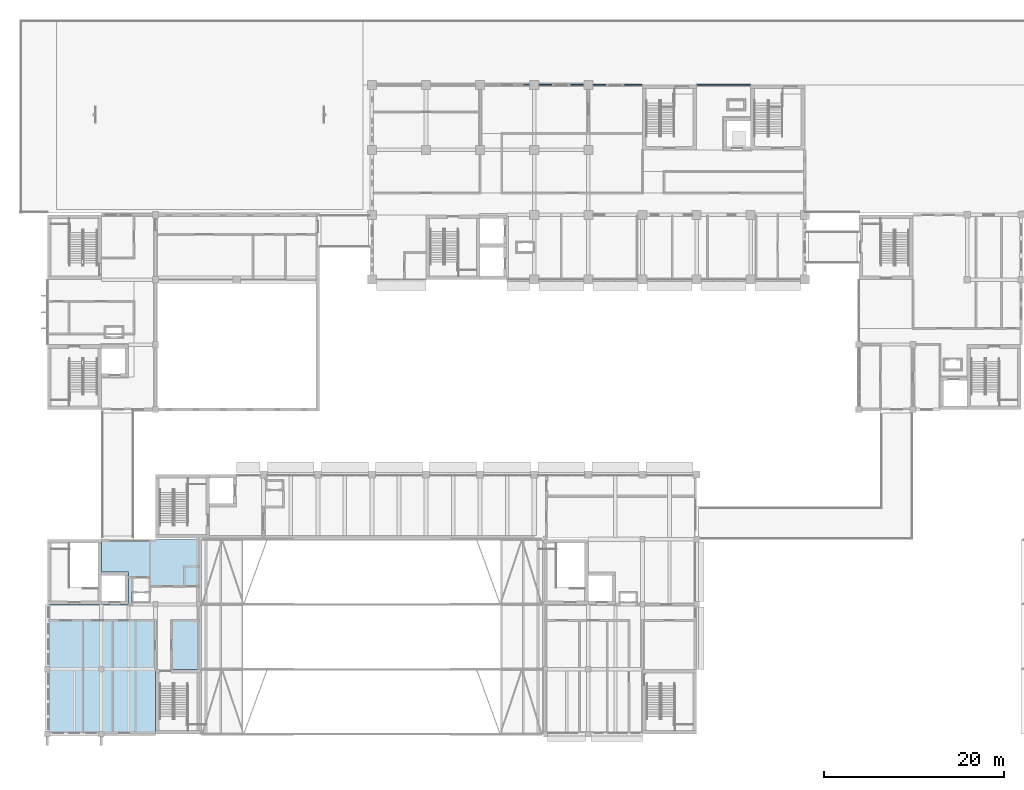
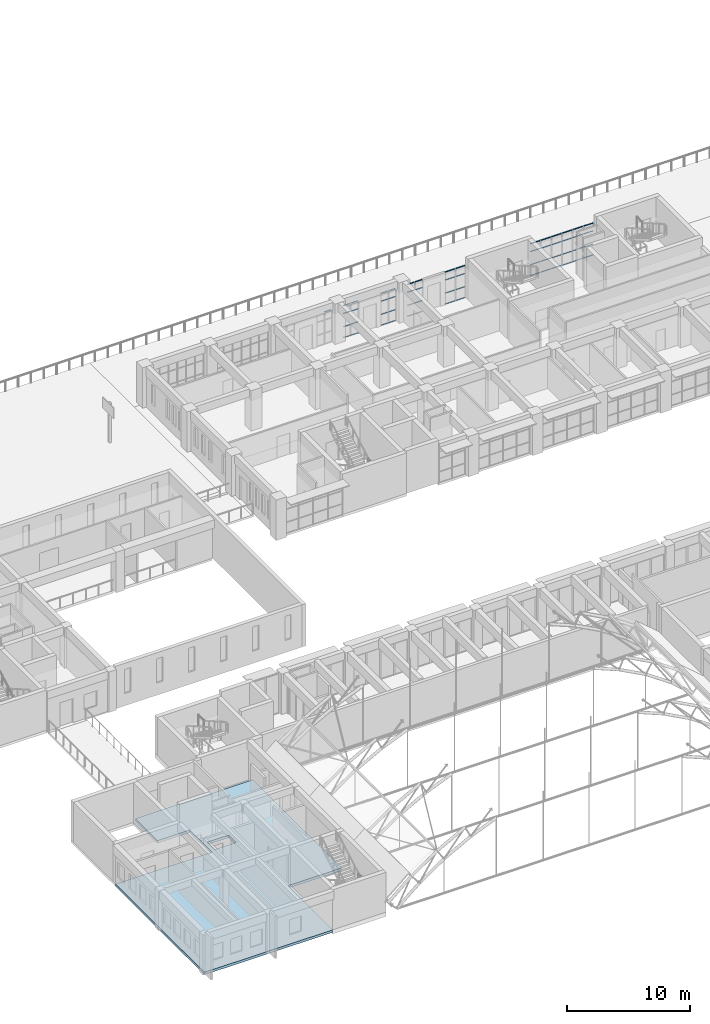
# One storey, part 59 of 101: 57 members, 1 slab, 6 elements without a shape of their own.
"""IFC4 building model written with IfcOpenShell, lengths in metres."""

from ifc_helpers import new_model, si_unit, direction, frame, origin, origin_2d, place, context, subcontext, project, spatial, polyline, hollow_rectangle, outline, extrude, material, layer, layer_set, material_profile, profile_set, type_object, element, aggregate, save


model = new_model("IFC4")

# Units and contexts
model_context = context("Model", 3, precision=1e-05, world=origin(), true_north=direction((0.0, 1.0)))
body_context = subcontext(model_context, "Body", "Model", "MODEL_VIEW")
ifc_project = project(units=[si_unit("LENGTHUNIT", "METRE"), si_unit("AREAUNIT", "SQUARE_METRE"), si_unit("VOLUMEUNIT", "CUBIC_METRE"), si_unit("PLANEANGLEUNIT", "RADIAN"), si_unit("MASSUNIT", "GRAM", prefix="KILO")], contexts=[model_context])

# Site, building, storey
site_placement = place(None, origin())
site = spatial("IfcSite", under=ifc_project, at=site_placement, CompositionType="ELEMENT")
building_placement = place(site_placement, origin())
building = spatial("IfcBuilding", under=site, at=building_placement, Name="Laocheng Heights Fire and Rescue Headquarters", CompositionType="ELEMENT")
storey_placement = place(building_placement, frame((0.0, 0.0, 8.39990234375)))
storey = spatial("IfcBuildingStorey", under=building, at=storey_placement, Name="L02", CompositionType="ELEMENT", Elevation=8.39990234375)

# Curtain wall, member
ifc_material_1 = material(Name="Dark anodised aluminium unitised curtain wall, low-e double glazing", Category="aluminium")
curtain_wall_type_1 = type_object("IfcCurtainWallType", Name="CW 1450 x 3200 HQ NORTH GLAZING", PredefinedType="NOTDEFINED", material=ifc_material_1)
curtain_wall_1_placement = place(storey_placement, origin())
curtain_wall_1 = element("IfcCurtainWall", 1, at=curtain_wall_1_placement, inside=storey, type_object=curtain_wall_type_1, Name="X18-X HQ NORTH L02", PredefinedType="NOTDEFINED")
ifc_material_2 = material(Name="Dark anodised aluminium 6063-T5 extrusion", Category="aluminium")
ifc_material_profile = material_profile(ifc_material_2, hollow_rectangle(XDim=0.10009765625, YDim=0.050048828125, WallThickness=0.0029296875, at=origin_2d()), Name="AL TRANSOM 100x50x3 HQ NORTH GLAZING")
ifc_profile_set = profile_set([ifc_material_profile], Name="Dark anodised aluminium 6063-T5 extrusion")
member_type = type_object("IfcMemberType", Name="AL TRANSOM 100x50x3 HQ NORTH GLAZING", PredefinedType="USERDEFINED", material=ifc_profile_set)
member_1_placement = place(storey_placement, frame((52.804931640625, 72.0, 3.175048828125), z_axis=(1.0, 0.0, 0.0), x_axis=(0.0, 1.0, 0.0)))
member_1 = element("IfcMember", 2, at=member_1_placement, type_object=member_type, Name="X18-X transom 2.4", ObjectType="TRANSOM", PredefinedType="USERDEFINED", context=body_context, shape_type="SweptSolid", body=[
    extrude(hollow_rectangle(XDim=0.10009765625, YDim=0.050048828125, WallThickness=0.0029296875, at=origin_2d()), origin(), (0.0, 0.0, 1.0), 0.635009765625),
])
aggregate(curtain_wall_1, [member_1])

# Curtain wall, members
curtain_wall_2_placement = place(storey_placement, origin())
curtain_wall_2 = element("IfcCurtainWall", 3, at=curtain_wall_2_placement, inside=storey, type_object=curtain_wall_type_1, Name="X18-X HQ NORTH L02", PredefinedType="NOTDEFINED")
member_2_placement = place(storey_placement, frame((54.56005859375, 72.0, 0.025146484375), z_axis=(1.0, 0.0, 0.0), x_axis=(0.0, 1.0, 0.0)))
member_2 = element("IfcMember", 4, at=member_2_placement, type_object=member_type, Name="X18-X transom 1.1", ObjectType="TRANSOM", PredefinedType="USERDEFINED", context=body_context, shape_type="SweptSolid", body=[
    extrude(hollow_rectangle(XDim=0.10009765625, YDim=0.050048828125, WallThickness=0.0029296875, at=origin_2d()), origin(), (0.0, 0.0, 1.0), 0.635009765625),
])
member_3_placement = place(storey_placement, frame((54.56005859375, 72.0, 1.10009765625), z_axis=(1.0, 0.0, 0.0), x_axis=(0.0, 1.0, 0.0)))
member_3 = element("IfcMember", 5, at=member_3_placement, type_object=member_type, Name="X18-X transom 1.2", ObjectType="TRANSOM", PredefinedType="USERDEFINED", context=body_context, shape_type="SweptSolid", body=[
    extrude(hollow_rectangle(XDim=0.10009765625, YDim=0.050048828125, WallThickness=0.0029296875, at=origin_2d()), origin(), (0.0, 0.0, 1.0), 0.635009765625),
])
member_4_placement = place(storey_placement, frame((54.56005859375, 72.0, 2.400146484375), z_axis=(1.0, 0.0, 0.0), x_axis=(0.0, 1.0, 0.0)))
member_4 = element("IfcMember", 6, at=member_4_placement, type_object=member_type, Name="X18-X transom 1.3", ObjectType="TRANSOM", PredefinedType="USERDEFINED", context=body_context, shape_type="SweptSolid", body=[
    extrude(hollow_rectangle(XDim=0.10009765625, YDim=0.050048828125, WallThickness=0.0029296875, at=origin_2d()), origin(), (0.0, 0.0, 1.0), 0.635009765625),
])
member_5_placement = place(storey_placement, frame((54.56005859375, 72.0, 3.175048828125), z_axis=(1.0, 0.0, 0.0), x_axis=(0.0, 1.0, 0.0)))
member_5 = element("IfcMember", 7, at=member_5_placement, type_object=member_type, Name="X18-X transom 1.4", ObjectType="TRANSOM", PredefinedType="USERDEFINED", context=body_context, shape_type="SweptSolid", body=[
    extrude(hollow_rectangle(XDim=0.10009765625, YDim=0.050048828125, WallThickness=0.0029296875, at=origin_2d()), origin(), (0.0, 0.0, 1.0), 0.635009765625),
])
member_6_placement = place(storey_placement, frame((55.2548828125, 72.0, 0.025146484375), z_axis=(1.0, 0.0, 0.0), x_axis=(0.0, 1.0, 0.0)))
member_6 = element("IfcMember", 8, at=member_6_placement, type_object=member_type, Name="X18-X transom 2.1", ObjectType="TRANSOM", PredefinedType="USERDEFINED", context=body_context, shape_type="SweptSolid", body=[
    extrude(hollow_rectangle(XDim=0.10009765625, YDim=0.050048828125, WallThickness=0.0029296875, at=origin_2d()), origin(), (0.0, 0.0, 1.0), 0.695068359375),
])
member_7_placement = place(storey_placement, frame((55.2548828125, 72.0, 1.10009765625), z_axis=(1.0, 0.0, 0.0), x_axis=(0.0, 1.0, 0.0)))
member_7 = element("IfcMember", 9, at=member_7_placement, type_object=member_type, Name="X18-X transom 2.2", ObjectType="TRANSOM", PredefinedType="USERDEFINED", context=body_context, shape_type="SweptSolid", body=[
    extrude(hollow_rectangle(XDim=0.10009765625, YDim=0.050048828125, WallThickness=0.0029296875, at=origin_2d()), origin(), (0.0, 0.0, 1.0), 0.695068359375),
])
member_8_placement = place(storey_placement, frame((55.2548828125, 72.0, 2.400146484375), z_axis=(1.0, 0.0, 0.0), x_axis=(0.0, 1.0, 0.0)))
member_8 = element("IfcMember", 10, at=member_8_placement, type_object=member_type, Name="X18-X transom 2.3", ObjectType="TRANSOM", PredefinedType="USERDEFINED", context=body_context, shape_type="SweptSolid", body=[
    extrude(hollow_rectangle(XDim=0.10009765625, YDim=0.050048828125, WallThickness=0.0029296875, at=origin_2d()), origin(), (0.0, 0.0, 1.0), 0.695068359375),
])
member_9_placement = place(storey_placement, frame((55.2548828125, 72.0, 3.175048828125), z_axis=(1.0, 0.0, 0.0), x_axis=(0.0, 1.0, 0.0)))
member_9 = element("IfcMember", 11, at=member_9_placement, type_object=member_type, Name="X18-X transom 2.4", ObjectType="TRANSOM", PredefinedType="USERDEFINED", context=body_context, shape_type="SweptSolid", body=[
    extrude(hollow_rectangle(XDim=0.10009765625, YDim=0.050048828125, WallThickness=0.0029296875, at=origin_2d()), origin(), (0.0, 0.0, 1.0), 0.695068359375),
])
aggregate(curtain_wall_2, [member_2, member_3, member_4, member_5, member_6, member_7, member_8, member_9])

curtain_wall_3_placement = place(storey_placement, origin())
curtain_wall_3 = element("IfcCurtainWall", 12, at=curtain_wall_3_placement, inside=storey, type_object=curtain_wall_type_1, Name="X18-X HQ NORTH L02", PredefinedType="NOTDEFINED")
member_10_placement = place(storey_placement, frame((58.050048828125, 72.0, 0.025146484375), z_axis=(1.0, 0.0, 0.0), x_axis=(0.0, 1.0, 0.0)))
member_10 = element("IfcMember", 13, at=member_10_placement, type_object=member_type, Name="X18-X transom 1.1", ObjectType="TRANSOM", PredefinedType="USERDEFINED", context=body_context, shape_type="SweptSolid", body=[
    extrude(hollow_rectangle(XDim=0.10009765625, YDim=0.050048828125, WallThickness=0.0029296875, at=origin_2d()), origin(), (0.0, 0.0, 1.0), 0.695068359375),
])
member_11_placement = place(storey_placement, frame((58.050048828125, 72.0, 1.10009765625), z_axis=(1.0, 0.0, 0.0), x_axis=(0.0, 1.0, 0.0)))
member_11 = element("IfcMember", 14, at=member_11_placement, type_object=member_type, Name="X18-X transom 1.2", ObjectType="TRANSOM", PredefinedType="USERDEFINED", context=body_context, shape_type="SweptSolid", body=[
    extrude(hollow_rectangle(XDim=0.10009765625, YDim=0.050048828125, WallThickness=0.0029296875, at=origin_2d()), origin(), (0.0, 0.0, 1.0), 0.695068359375),
])
member_12_placement = place(storey_placement, frame((58.050048828125, 72.0, 2.400146484375), z_axis=(1.0, 0.0, 0.0), x_axis=(0.0, 1.0, 0.0)))
member_12 = element("IfcMember", 15, at=member_12_placement, type_object=member_type, Name="X18-X transom 1.3", ObjectType="TRANSOM", PredefinedType="USERDEFINED", context=body_context, shape_type="SweptSolid", body=[
    extrude(hollow_rectangle(XDim=0.10009765625, YDim=0.050048828125, WallThickness=0.0029296875, at=origin_2d()), origin(), (0.0, 0.0, 1.0), 0.695068359375),
])
member_13_placement = place(storey_placement, frame((58.050048828125, 72.0, 3.175048828125), z_axis=(1.0, 0.0, 0.0), x_axis=(0.0, 1.0, 0.0)))
member_13 = element("IfcMember", 16, at=member_13_placement, type_object=member_type, Name="X18-X transom 1.4", ObjectType="TRANSOM", PredefinedType="USERDEFINED", context=body_context, shape_type="SweptSolid", body=[
    extrude(hollow_rectangle(XDim=0.10009765625, YDim=0.050048828125, WallThickness=0.0029296875, at=origin_2d()), origin(), (0.0, 0.0, 1.0), 0.695068359375),
])
member_14_placement = place(storey_placement, frame((58.804931640625, 72.0, 0.025146484375), z_axis=(1.0, 0.0, 0.0), x_axis=(0.0, 1.0, 0.0)))
member_14 = element("IfcMember", 17, at=member_14_placement, type_object=member_type, Name="X18-X transom 2.1", ObjectType="TRANSOM", PredefinedType="USERDEFINED", context=body_context, shape_type="SweptSolid", body=[
    extrude(hollow_rectangle(XDim=0.10009765625, YDim=0.050048828125, WallThickness=0.0029296875, at=origin_2d()), origin(), (0.0, 0.0, 1.0), 0.635009765625),
])
member_15_placement = place(storey_placement, frame((58.804931640625, 72.0, 1.10009765625), z_axis=(1.0, 0.0, 0.0), x_axis=(0.0, 1.0, 0.0)))
member_15 = element("IfcMember", 18, at=member_15_placement, type_object=member_type, Name="X18-X transom 2.2", ObjectType="TRANSOM", PredefinedType="USERDEFINED", context=body_context, shape_type="SweptSolid", body=[
    extrude(hollow_rectangle(XDim=0.10009765625, YDim=0.050048828125, WallThickness=0.0029296875, at=origin_2d()), origin(), (0.0, 0.0, 1.0), 0.635009765625),
])
member_16_placement = place(storey_placement, frame((58.804931640625, 72.0, 2.400146484375), z_axis=(1.0, 0.0, 0.0), x_axis=(0.0, 1.0, 0.0)))
member_16 = element("IfcMember", 19, at=member_16_placement, type_object=member_type, Name="X18-X transom 2.3", ObjectType="TRANSOM", PredefinedType="USERDEFINED", context=body_context, shape_type="SweptSolid", body=[
    extrude(hollow_rectangle(XDim=0.10009765625, YDim=0.050048828125, WallThickness=0.0029296875, at=origin_2d()), origin(), (0.0, 0.0, 1.0), 0.635009765625),
])
member_17_placement = place(storey_placement, frame((58.804931640625, 72.0, 3.175048828125), z_axis=(1.0, 0.0, 0.0), x_axis=(0.0, 1.0, 0.0)))
member_17 = element("IfcMember", 20, at=member_17_placement, type_object=member_type, Name="X18-X transom 2.4", ObjectType="TRANSOM", PredefinedType="USERDEFINED", context=body_context, shape_type="SweptSolid", body=[
    extrude(hollow_rectangle(XDim=0.10009765625, YDim=0.050048828125, WallThickness=0.0029296875, at=origin_2d()), origin(), (0.0, 0.0, 1.0), 0.635009765625),
])
aggregate(curtain_wall_3, [member_10, member_11, member_12, member_13, member_14, member_15, member_16, member_17])

curtain_wall_4_placement = place(storey_placement, origin())
curtain_wall_4 = element("IfcCurtainWall", 21, at=curtain_wall_4_placement, inside=storey, type_object=curtain_wall_type_1, Name="X18-X HQ NORTH L02", PredefinedType="NOTDEFINED")
member_18_placement = place(storey_placement, frame((60.56005859375, 72.0, 0.025146484375), z_axis=(1.0, 0.0, 0.0), x_axis=(0.0, 1.0, 0.0)))
member_18 = element("IfcMember", 22, at=member_18_placement, type_object=member_type, Name="X18-X transom 1.1", ObjectType="TRANSOM", PredefinedType="USERDEFINED", context=body_context, shape_type="SweptSolid", body=[
    extrude(hollow_rectangle(XDim=0.10009765625, YDim=0.050048828125, WallThickness=0.0029296875, at=origin_2d()), origin(), (0.0, 0.0, 1.0), 0.635009765625),
])
member_19_placement = place(storey_placement, frame((60.56005859375, 72.0, 1.10009765625), z_axis=(1.0, 0.0, 0.0), x_axis=(0.0, 1.0, 0.0)))
member_19 = element("IfcMember", 23, at=member_19_placement, type_object=member_type, Name="X18-X transom 1.2", ObjectType="TRANSOM", PredefinedType="USERDEFINED", context=body_context, shape_type="SweptSolid", body=[
    extrude(hollow_rectangle(XDim=0.10009765625, YDim=0.050048828125, WallThickness=0.0029296875, at=origin_2d()), origin(), (0.0, 0.0, 1.0), 0.635009765625),
])
member_20_placement = place(storey_placement, frame((60.56005859375, 72.0, 2.400146484375), z_axis=(1.0, 0.0, 0.0), x_axis=(0.0, 1.0, 0.0)))
member_20 = element("IfcMember", 24, at=member_20_placement, type_object=member_type, Name="X18-X transom 1.3", ObjectType="TRANSOM", PredefinedType="USERDEFINED", context=body_context, shape_type="SweptSolid", body=[
    extrude(hollow_rectangle(XDim=0.10009765625, YDim=0.050048828125, WallThickness=0.0029296875, at=origin_2d()), origin(), (0.0, 0.0, 1.0), 0.635009765625),
])
member_21_placement = place(storey_placement, frame((60.56005859375, 72.0, 3.175048828125), z_axis=(1.0, 0.0, 0.0), x_axis=(0.0, 1.0, 0.0)))
member_21 = element("IfcMember", 25, at=member_21_placement, type_object=member_type, Name="X18-X transom 1.4", ObjectType="TRANSOM", PredefinedType="USERDEFINED", context=body_context, shape_type="SweptSolid", body=[
    extrude(hollow_rectangle(XDim=0.10009765625, YDim=0.050048828125, WallThickness=0.0029296875, at=origin_2d()), origin(), (0.0, 0.0, 1.0), 0.635009765625),
])
member_22_placement = place(storey_placement, frame((61.2548828125, 72.0, 0.025146484375), z_axis=(1.0, 0.0, 0.0), x_axis=(0.0, 1.0, 0.0)))
member_22 = element("IfcMember", 26, at=member_22_placement, type_object=member_type, Name="X18-X transom 2.1", ObjectType="TRANSOM", PredefinedType="USERDEFINED", context=body_context, shape_type="SweptSolid", body=[
    extrude(hollow_rectangle(XDim=0.10009765625, YDim=0.050048828125, WallThickness=0.0029296875, at=origin_2d()), origin(), (0.0, 0.0, 1.0), 0.695068359375),
])
member_23_placement = place(storey_placement, frame((61.2548828125, 72.0, 1.10009765625), z_axis=(1.0, 0.0, 0.0), x_axis=(0.0, 1.0, 0.0)))
member_23 = element("IfcMember", 27, at=member_23_placement, type_object=member_type, Name="X18-X transom 2.2", ObjectType="TRANSOM", PredefinedType="USERDEFINED", context=body_context, shape_type="SweptSolid", body=[
    extrude(hollow_rectangle(XDim=0.10009765625, YDim=0.050048828125, WallThickness=0.0029296875, at=origin_2d()), origin(), (0.0, 0.0, 1.0), 0.695068359375),
])
member_24_placement = place(storey_placement, frame((61.2548828125, 72.0, 2.400146484375), z_axis=(1.0, 0.0, 0.0), x_axis=(0.0, 1.0, 0.0)))
member_24 = element("IfcMember", 28, at=member_24_placement, type_object=member_type, Name="X18-X transom 2.3", ObjectType="TRANSOM", PredefinedType="USERDEFINED", context=body_context, shape_type="SweptSolid", body=[
    extrude(hollow_rectangle(XDim=0.10009765625, YDim=0.050048828125, WallThickness=0.0029296875, at=origin_2d()), origin(), (0.0, 0.0, 1.0), 0.695068359375),
])
member_25_placement = place(storey_placement, frame((61.2548828125, 72.0, 3.175048828125), z_axis=(1.0, 0.0, 0.0), x_axis=(0.0, 1.0, 0.0)))
member_25 = element("IfcMember", 29, at=member_25_placement, type_object=member_type, Name="X18-X transom 2.4", ObjectType="TRANSOM", PredefinedType="USERDEFINED", context=body_context, shape_type="SweptSolid", body=[
    extrude(hollow_rectangle(XDim=0.10009765625, YDim=0.050048828125, WallThickness=0.0029296875, at=origin_2d()), origin(), (0.0, 0.0, 1.0), 0.695068359375),
])
aggregate(curtain_wall_4, [member_18, member_19, member_20, member_21, member_22, member_23, member_24, member_25])

ifc_material_3 = material(Name="Dark anodised aluminium unitised curtain wall, low-e double glazing", Category="aluminium")
curtain_wall_type_2 = type_object("IfcCurtainWallType", Name="CW 1950 x 3200 HQ NORTH GLAZING", PredefinedType="NOTDEFINED", material=ifc_material_3)
curtain_wall_5_placement = place(storey_placement, origin())
curtain_wall_5 = element("IfcCurtainWall", 30, at=curtain_wall_5_placement, inside=storey, type_object=curtain_wall_type_2, Name="X19-X HQ NORTH L02", PredefinedType="NOTDEFINED")
member_26_placement = place(storey_placement, frame((64.050048828125, 72.0, 0.025146484375), z_axis=(1.0, 0.0, 0.0), x_axis=(0.0, 1.0, 0.0)))
member_26 = element("IfcMember", 31, at=member_26_placement, type_object=member_type, Name="X19-X transom 1.1", ObjectType="TRANSOM", PredefinedType="USERDEFINED", context=body_context, shape_type="SweptSolid", body=[
    extrude(hollow_rectangle(XDim=0.10009765625, YDim=0.050048828125, WallThickness=0.0029296875, at=origin_2d()), origin(), (0.0, 0.0, 1.0), 0.945068359375),
])
member_27_placement = place(storey_placement, frame((64.050048828125, 72.0, 1.10009765625), z_axis=(1.0, 0.0, 0.0), x_axis=(0.0, 1.0, 0.0)))
member_27 = element("IfcMember", 32, at=member_27_placement, type_object=member_type, Name="X19-X transom 1.2", ObjectType="TRANSOM", PredefinedType="USERDEFINED", context=body_context, shape_type="SweptSolid", body=[
    extrude(hollow_rectangle(XDim=0.10009765625, YDim=0.050048828125, WallThickness=0.0029296875, at=origin_2d()), origin(), (0.0, 0.0, 1.0), 0.945068359375),
])
member_28_placement = place(storey_placement, frame((64.050048828125, 72.0, 2.400146484375), z_axis=(1.0, 0.0, 0.0), x_axis=(0.0, 1.0, 0.0)))
member_28 = element("IfcMember", 33, at=member_28_placement, type_object=member_type, Name="X19-X transom 1.3", ObjectType="TRANSOM", PredefinedType="USERDEFINED", context=body_context, shape_type="SweptSolid", body=[
    extrude(hollow_rectangle(XDim=0.10009765625, YDim=0.050048828125, WallThickness=0.0029296875, at=origin_2d()), origin(), (0.0, 0.0, 1.0), 0.945068359375),
])
member_29_placement = place(storey_placement, frame((64.050048828125, 72.0, 3.175048828125), z_axis=(1.0, 0.0, 0.0), x_axis=(0.0, 1.0, 0.0)))
member_29 = element("IfcMember", 34, at=member_29_placement, type_object=member_type, Name="X19-X transom 1.4", ObjectType="TRANSOM", PredefinedType="USERDEFINED", context=body_context, shape_type="SweptSolid", body=[
    extrude(hollow_rectangle(XDim=0.10009765625, YDim=0.050048828125, WallThickness=0.0029296875, at=origin_2d()), origin(), (0.0, 0.0, 1.0), 0.945068359375),
])
member_30_placement = place(storey_placement, frame((65.054931640625, 72.0, 0.025146484375), z_axis=(1.0, 0.0, 0.0), x_axis=(0.0, 1.0, 0.0)))
member_30 = element("IfcMember", 35, at=member_30_placement, type_object=member_type, Name="X19-X transom 2.1", ObjectType="TRANSOM", PredefinedType="USERDEFINED", context=body_context, shape_type="SweptSolid", body=[
    extrude(hollow_rectangle(XDim=0.10009765625, YDim=0.050048828125, WallThickness=0.0029296875, at=origin_2d()), origin(), (0.0, 0.0, 1.0), 0.885009765625),
])
member_31_placement = place(storey_placement, frame((65.054931640625, 72.0, 1.10009765625), z_axis=(1.0, 0.0, 0.0), x_axis=(0.0, 1.0, 0.0)))
member_31 = element("IfcMember", 36, at=member_31_placement, type_object=member_type, Name="X19-X transom 2.2", ObjectType="TRANSOM", PredefinedType="USERDEFINED", context=body_context, shape_type="SweptSolid", body=[
    extrude(hollow_rectangle(XDim=0.10009765625, YDim=0.050048828125, WallThickness=0.0029296875, at=origin_2d()), origin(), (0.0, 0.0, 1.0), 0.885009765625),
])
member_32_placement = place(storey_placement, frame((65.054931640625, 72.0, 2.400146484375), z_axis=(1.0, 0.0, 0.0), x_axis=(0.0, 1.0, 0.0)))
member_32 = element("IfcMember", 37, at=member_32_placement, type_object=member_type, Name="X19-X transom 2.3", ObjectType="TRANSOM", PredefinedType="USERDEFINED", context=body_context, shape_type="SweptSolid", body=[
    extrude(hollow_rectangle(XDim=0.10009765625, YDim=0.050048828125, WallThickness=0.0029296875, at=origin_2d()), origin(), (0.0, 0.0, 1.0), 0.885009765625),
])
member_33_placement = place(storey_placement, frame((65.054931640625, 72.0, 3.175048828125), z_axis=(1.0, 0.0, 0.0), x_axis=(0.0, 1.0, 0.0)))
member_33 = element("IfcMember", 38, at=member_33_placement, type_object=member_type, Name="X19-X transom 2.4", ObjectType="TRANSOM", PredefinedType="USERDEFINED", context=body_context, shape_type="SweptSolid", body=[
    extrude(hollow_rectangle(XDim=0.10009765625, YDim=0.050048828125, WallThickness=0.0029296875, at=origin_2d()), origin(), (0.0, 0.0, 1.0), 0.885009765625),
])
aggregate(curtain_wall_5, [member_26, member_27, member_28, member_29, member_30, member_31, member_32, member_33])

ifc_material_4 = material(Name="Dark anodised aluminium unitised curtain wall, low-e double glazing", Category="aluminium")
curtain_wall_type_3 = type_object("IfcCurtainWallType", Name="CW 6000 x 3200 HQ NORTH GLAZING", PredefinedType="NOTDEFINED", material=ifc_material_4)
curtain_wall_6_placement = place(storey_placement, origin())
curtain_wall_6 = element("IfcCurtainWall", 39, at=curtain_wall_6_placement, inside=storey, type_object=curtain_wall_type_3, Name="X20-X HQ NORTH L02", PredefinedType="NOTDEFINED")
member_34_placement = place(storey_placement, frame((72.06005859375, 72.0, 0.025146484375), z_axis=(1.0, 0.0, 0.0), x_axis=(0.0, 1.0, 0.0)))
member_34 = element("IfcMember", 40, at=member_34_placement, type_object=member_type, Name="X20-X transom 1.1", ObjectType="TRANSOM", PredefinedType="USERDEFINED", context=body_context, shape_type="SweptSolid", body=[
    extrude(hollow_rectangle(XDim=0.10009765625, YDim=0.050048828125, WallThickness=0.0029296875, at=origin_2d()), origin(), (0.0, 0.0, 1.0), 0.909912109375),
])
member_35_placement = place(storey_placement, frame((72.06005859375, 72.0, 1.10009765625), z_axis=(1.0, 0.0, 0.0), x_axis=(0.0, 1.0, 0.0)))
member_35 = element("IfcMember", 41, at=member_35_placement, type_object=member_type, Name="X20-X transom 1.2", ObjectType="TRANSOM", PredefinedType="USERDEFINED", context=body_context, shape_type="SweptSolid", body=[
    extrude(hollow_rectangle(XDim=0.10009765625, YDim=0.050048828125, WallThickness=0.0029296875, at=origin_2d()), origin(), (0.0, 0.0, 1.0), 0.909912109375),
])
member_36_placement = place(storey_placement, frame((72.06005859375, 72.0, 2.400146484375), z_axis=(1.0, 0.0, 0.0), x_axis=(0.0, 1.0, 0.0)))
member_36 = element("IfcMember", 42, at=member_36_placement, type_object=member_type, Name="X20-X transom 1.3", ObjectType="TRANSOM", PredefinedType="USERDEFINED", context=body_context, shape_type="SweptSolid", body=[
    extrude(hollow_rectangle(XDim=0.10009765625, YDim=0.050048828125, WallThickness=0.0029296875, at=origin_2d()), origin(), (0.0, 0.0, 1.0), 0.909912109375),
])
member_37_placement = place(storey_placement, frame((72.06005859375, 72.0, 3.175048828125), z_axis=(1.0, 0.0, 0.0), x_axis=(0.0, 1.0, 0.0)))
member_37 = element("IfcMember", 43, at=member_37_placement, type_object=member_type, Name="X20-X transom 1.4", ObjectType="TRANSOM", PredefinedType="USERDEFINED", context=body_context, shape_type="SweptSolid", body=[
    extrude(hollow_rectangle(XDim=0.10009765625, YDim=0.050048828125, WallThickness=0.0029296875, at=origin_2d()), origin(), (0.0, 0.0, 1.0), 0.909912109375),
])
member_38_placement = place(storey_placement, frame((73.030029296875, 72.0, 0.025146484375), z_axis=(1.0, 0.0, 0.0), x_axis=(0.0, 1.0, 0.0)))
member_38 = element("IfcMember", 44, at=member_38_placement, type_object=member_type, Name="X20-X transom 2.1", ObjectType="TRANSOM", PredefinedType="USERDEFINED", context=body_context, shape_type="SweptSolid", body=[
    extrude(hollow_rectangle(XDim=0.10009765625, YDim=0.050048828125, WallThickness=0.0029296875, at=origin_2d()), origin(), (0.0, 0.0, 1.0), 0.93994140625),
])
member_39_placement = place(storey_placement, frame((73.030029296875, 72.0, 1.10009765625), z_axis=(1.0, 0.0, 0.0), x_axis=(0.0, 1.0, 0.0)))
member_39 = element("IfcMember", 45, at=member_39_placement, type_object=member_type, Name="X20-X transom 2.2", ObjectType="TRANSOM", PredefinedType="USERDEFINED", context=body_context, shape_type="SweptSolid", body=[
    extrude(hollow_rectangle(XDim=0.10009765625, YDim=0.050048828125, WallThickness=0.0029296875, at=origin_2d()), origin(), (0.0, 0.0, 1.0), 0.93994140625),
])
member_40_placement = place(storey_placement, frame((73.030029296875, 72.0, 2.400146484375), z_axis=(1.0, 0.0, 0.0), x_axis=(0.0, 1.0, 0.0)))
member_40 = element("IfcMember", 46, at=member_40_placement, type_object=member_type, Name="X20-X transom 2.3", ObjectType="TRANSOM", PredefinedType="USERDEFINED", context=body_context, shape_type="SweptSolid", body=[
    extrude(hollow_rectangle(XDim=0.10009765625, YDim=0.050048828125, WallThickness=0.0029296875, at=origin_2d()), origin(), (0.0, 0.0, 1.0), 0.93994140625),
])
member_41_placement = place(storey_placement, frame((73.030029296875, 72.0, 3.175048828125), z_axis=(1.0, 0.0, 0.0), x_axis=(0.0, 1.0, 0.0)))
member_41 = element("IfcMember", 47, at=member_41_placement, type_object=member_type, Name="X20-X transom 2.4", ObjectType="TRANSOM", PredefinedType="USERDEFINED", context=body_context, shape_type="SweptSolid", body=[
    extrude(hollow_rectangle(XDim=0.10009765625, YDim=0.050048828125, WallThickness=0.0029296875, at=origin_2d()), origin(), (0.0, 0.0, 1.0), 0.93994140625),
])
member_42_placement = place(storey_placement, frame((74.030029296875, 72.0, 0.025146484375), z_axis=(1.0, 0.0, 0.0), x_axis=(0.0, 1.0, 0.0)))
member_42 = element("IfcMember", 48, at=member_42_placement, type_object=member_type, Name="X20-X transom 3.1", ObjectType="TRANSOM", PredefinedType="USERDEFINED", context=body_context, shape_type="SweptSolid", body=[
    extrude(hollow_rectangle(XDim=0.10009765625, YDim=0.050048828125, WallThickness=0.0029296875, at=origin_2d()), origin(), (0.0, 0.0, 1.0), 0.93994140625),
])
member_43_placement = place(storey_placement, frame((74.030029296875, 72.0, 1.10009765625), z_axis=(1.0, 0.0, 0.0), x_axis=(0.0, 1.0, 0.0)))
member_43 = element("IfcMember", 49, at=member_43_placement, type_object=member_type, Name="X20-X transom 3.2", ObjectType="TRANSOM", PredefinedType="USERDEFINED", context=body_context, shape_type="SweptSolid", body=[
    extrude(hollow_rectangle(XDim=0.10009765625, YDim=0.050048828125, WallThickness=0.0029296875, at=origin_2d()), origin(), (0.0, 0.0, 1.0), 0.93994140625),
])
member_44_placement = place(storey_placement, frame((74.030029296875, 72.0, 2.400146484375), z_axis=(1.0, 0.0, 0.0), x_axis=(0.0, 1.0, 0.0)))
member_44 = element("IfcMember", 50, at=member_44_placement, type_object=member_type, Name="X20-X transom 3.3", ObjectType="TRANSOM", PredefinedType="USERDEFINED", context=body_context, shape_type="SweptSolid", body=[
    extrude(hollow_rectangle(XDim=0.10009765625, YDim=0.050048828125, WallThickness=0.0029296875, at=origin_2d()), origin(), (0.0, 0.0, 1.0), 0.93994140625),
])
member_45_placement = place(storey_placement, frame((74.030029296875, 72.0, 3.175048828125), z_axis=(1.0, 0.0, 0.0), x_axis=(0.0, 1.0, 0.0)))
member_45 = element("IfcMember", 51, at=member_45_placement, type_object=member_type, Name="X20-X transom 3.4", ObjectType="TRANSOM", PredefinedType="USERDEFINED", context=body_context, shape_type="SweptSolid", body=[
    extrude(hollow_rectangle(XDim=0.10009765625, YDim=0.050048828125, WallThickness=0.0029296875, at=origin_2d()), origin(), (0.0, 0.0, 1.0), 0.93994140625),
])
member_46_placement = place(storey_placement, frame((75.030029296875, 72.0, 0.025146484375), z_axis=(1.0, 0.0, 0.0), x_axis=(0.0, 1.0, 0.0)))
member_46 = element("IfcMember", 52, at=member_46_placement, type_object=member_type, Name="X20-X transom 4.1", ObjectType="TRANSOM", PredefinedType="USERDEFINED", context=body_context, shape_type="SweptSolid", body=[
    extrude(hollow_rectangle(XDim=0.10009765625, YDim=0.050048828125, WallThickness=0.0029296875, at=origin_2d()), origin(), (0.0, 0.0, 1.0), 0.93994140625),
])
member_47_placement = place(storey_placement, frame((75.030029296875, 72.0, 1.10009765625), z_axis=(1.0, 0.0, 0.0), x_axis=(0.0, 1.0, 0.0)))
member_47 = element("IfcMember", 53, at=member_47_placement, type_object=member_type, Name="X20-X transom 4.2", ObjectType="TRANSOM", PredefinedType="USERDEFINED", context=body_context, shape_type="SweptSolid", body=[
    extrude(hollow_rectangle(XDim=0.10009765625, YDim=0.050048828125, WallThickness=0.0029296875, at=origin_2d()), origin(), (0.0, 0.0, 1.0), 0.93994140625),
])
member_48_placement = place(storey_placement, frame((75.030029296875, 72.0, 2.400146484375), z_axis=(1.0, 0.0, 0.0), x_axis=(0.0, 1.0, 0.0)))
member_48 = element("IfcMember", 54, at=member_48_placement, type_object=member_type, Name="X20-X transom 4.3", ObjectType="TRANSOM", PredefinedType="USERDEFINED", context=body_context, shape_type="SweptSolid", body=[
    extrude(hollow_rectangle(XDim=0.10009765625, YDim=0.050048828125, WallThickness=0.0029296875, at=origin_2d()), origin(), (0.0, 0.0, 1.0), 0.93994140625),
])
member_49_placement = place(storey_placement, frame((75.030029296875, 72.0, 3.175048828125), z_axis=(1.0, 0.0, 0.0), x_axis=(0.0, 1.0, 0.0)))
member_49 = element("IfcMember", 55, at=member_49_placement, type_object=member_type, Name="X20-X transom 4.4", ObjectType="TRANSOM", PredefinedType="USERDEFINED", context=body_context, shape_type="SweptSolid", body=[
    extrude(hollow_rectangle(XDim=0.10009765625, YDim=0.050048828125, WallThickness=0.0029296875, at=origin_2d()), origin(), (0.0, 0.0, 1.0), 0.93994140625),
])
member_50_placement = place(storey_placement, frame((76.030029296875, 72.0, 0.025146484375), z_axis=(1.0, 0.0, 0.0), x_axis=(0.0, 1.0, 0.0)))
member_50 = element("IfcMember", 56, at=member_50_placement, type_object=member_type, Name="X20-X transom 5.1", ObjectType="TRANSOM", PredefinedType="USERDEFINED", context=body_context, shape_type="SweptSolid", body=[
    extrude(hollow_rectangle(XDim=0.10009765625, YDim=0.050048828125, WallThickness=0.0029296875, at=origin_2d()), origin(), (0.0, 0.0, 1.0), 0.93994140625),
])
member_51_placement = place(storey_placement, frame((76.030029296875, 72.0, 1.10009765625), z_axis=(1.0, 0.0, 0.0), x_axis=(0.0, 1.0, 0.0)))
member_51 = element("IfcMember", 57, at=member_51_placement, type_object=member_type, Name="X20-X transom 5.2", ObjectType="TRANSOM", PredefinedType="USERDEFINED", context=body_context, shape_type="SweptSolid", body=[
    extrude(hollow_rectangle(XDim=0.10009765625, YDim=0.050048828125, WallThickness=0.0029296875, at=origin_2d()), origin(), (0.0, 0.0, 1.0), 0.93994140625),
])
member_52_placement = place(storey_placement, frame((76.030029296875, 72.0, 2.400146484375), z_axis=(1.0, 0.0, 0.0), x_axis=(0.0, 1.0, 0.0)))
member_52 = element("IfcMember", 58, at=member_52_placement, type_object=member_type, Name="X20-X transom 5.3", ObjectType="TRANSOM", PredefinedType="USERDEFINED", context=body_context, shape_type="SweptSolid", body=[
    extrude(hollow_rectangle(XDim=0.10009765625, YDim=0.050048828125, WallThickness=0.0029296875, at=origin_2d()), origin(), (0.0, 0.0, 1.0), 0.93994140625),
])
member_53_placement = place(storey_placement, frame((76.030029296875, 72.0, 3.175048828125), z_axis=(1.0, 0.0, 0.0), x_axis=(0.0, 1.0, 0.0)))
member_53 = element("IfcMember", 59, at=member_53_placement, type_object=member_type, Name="X20-X transom 5.4", ObjectType="TRANSOM", PredefinedType="USERDEFINED", context=body_context, shape_type="SweptSolid", body=[
    extrude(hollow_rectangle(XDim=0.10009765625, YDim=0.050048828125, WallThickness=0.0029296875, at=origin_2d()), origin(), (0.0, 0.0, 1.0), 0.93994140625),
])
member_54_placement = place(storey_placement, frame((77.030029296875, 72.0, 0.025146484375), z_axis=(1.0, 0.0, 0.0), x_axis=(0.0, 1.0, 0.0)))
member_54 = element("IfcMember", 60, at=member_54_placement, type_object=member_type, Name="X20-X transom 6.1", ObjectType="TRANSOM", PredefinedType="USERDEFINED", context=body_context, shape_type="SweptSolid", body=[
    extrude(hollow_rectangle(XDim=0.10009765625, YDim=0.050048828125, WallThickness=0.0029296875, at=origin_2d()), origin(), (0.0, 0.0, 1.0), 0.909912109375),
])
member_55_placement = place(storey_placement, frame((77.030029296875, 72.0, 1.10009765625), z_axis=(1.0, 0.0, 0.0), x_axis=(0.0, 1.0, 0.0)))
member_55 = element("IfcMember", 61, at=member_55_placement, type_object=member_type, Name="X20-X transom 6.2", ObjectType="TRANSOM", PredefinedType="USERDEFINED", context=body_context, shape_type="SweptSolid", body=[
    extrude(hollow_rectangle(XDim=0.10009765625, YDim=0.050048828125, WallThickness=0.0029296875, at=origin_2d()), origin(), (0.0, 0.0, 1.0), 0.909912109375),
])
member_56_placement = place(storey_placement, frame((77.030029296875, 72.0, 2.400146484375), z_axis=(1.0, 0.0, 0.0), x_axis=(0.0, 1.0, 0.0)))
member_56 = element("IfcMember", 62, at=member_56_placement, type_object=member_type, Name="X20-X transom 6.3", ObjectType="TRANSOM", PredefinedType="USERDEFINED", context=body_context, shape_type="SweptSolid", body=[
    extrude(hollow_rectangle(XDim=0.10009765625, YDim=0.050048828125, WallThickness=0.0029296875, at=origin_2d()), origin(), (0.0, 0.0, 1.0), 0.909912109375),
])
member_57_placement = place(storey_placement, frame((77.030029296875, 72.0, 3.175048828125), z_axis=(1.0, 0.0, 0.0), x_axis=(0.0, 1.0, 0.0)))
member_57 = element("IfcMember", 63, at=member_57_placement, type_object=member_type, Name="X20-X transom 6.4", ObjectType="TRANSOM", PredefinedType="USERDEFINED", context=body_context, shape_type="SweptSolid", body=[
    extrude(hollow_rectangle(XDim=0.10009765625, YDim=0.050048828125, WallThickness=0.0029296875, at=origin_2d()), origin(), (0.0, 0.0, 1.0), 0.909912109375),
])
aggregate(curtain_wall_6, [member_34, member_35, member_36, member_37, member_38, member_39, member_40, member_41, member_42, member_43, member_44, member_45, member_46, member_47, member_48, member_49, member_50, member_51, member_52, member_53, member_54, member_55, member_56, member_57])

# Slab
ifc_material_5 = material(Name="Concrete C40", Category="concrete")
ifc_layer = layer(ifc_material_5, 0.25)
ifc_layer_set = layer_set([ifc_layer], Name="Concrete C40")
slab_type = type_object("IfcSlabType", Name="RC FLOOR SLAB PAVILION 250", PredefinedType="FLOOR", material=ifc_layer_set)
slab_placement = place(storey_placement, frame((0.0, 0.0, -0.25)))
element("IfcSlab", 64, at=slab_placement, inside=storey, type_object=slab_type, Name="Pavilion second floor slab", PredefinedType="FLOOR", context=body_context, shape_type="SweptSolid", body=[
    extrude(outline(polyline([(17.0, 21.60009765625), (6.0, 21.60009765625), (6.0, 18.0), (9.0, 18.0), (9.0, 14.39990234375), (0.0, 14.39990234375), (0.0, 0.0), (12.0, 0.0), (12.0, 7.199951171875), (17.0, 7.199951171875), (17.0, 21.60009765625)]), holes=[polyline([(11.39990234375, 14.60009765625), (9.39990234375, 14.60009765625), (9.39990234375, 15.800048828125), (11.39990234375, 15.800048828125), (11.39990234375, 14.60009765625)])]), origin(), (0.0, 0.0, 1.0), 0.25),
])

save(model, "model.ifc")
